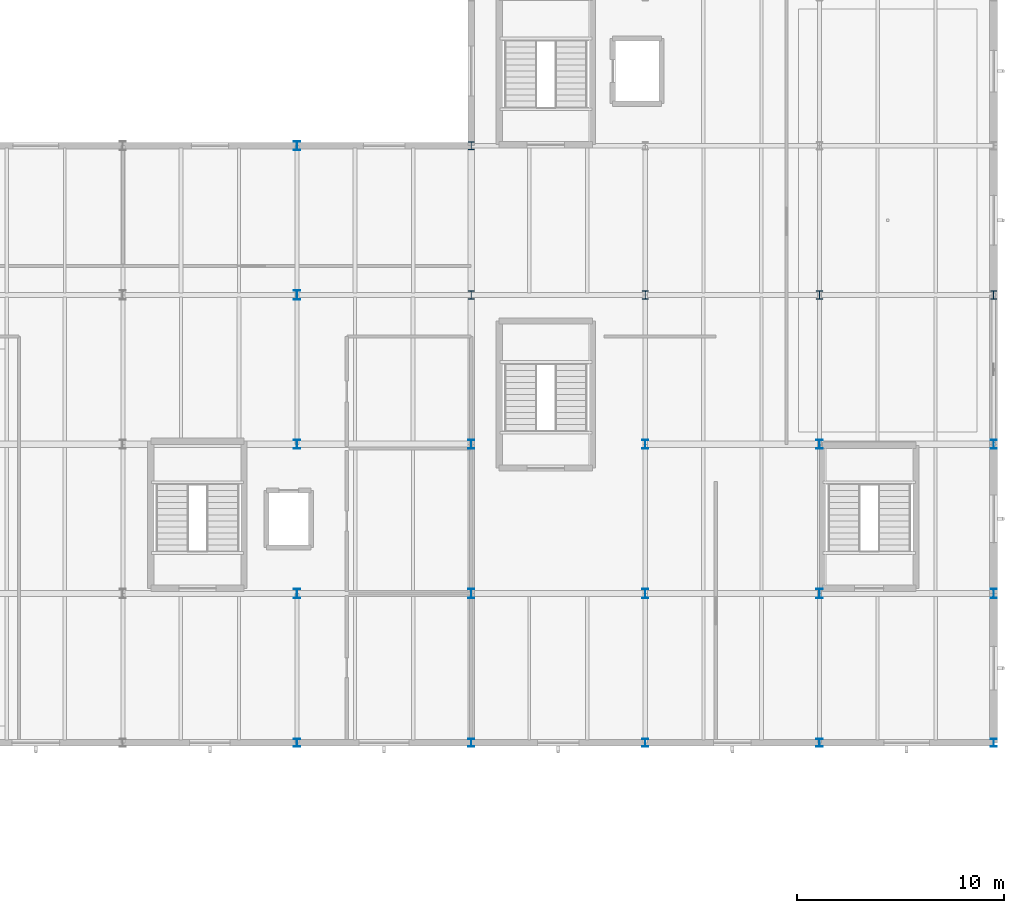
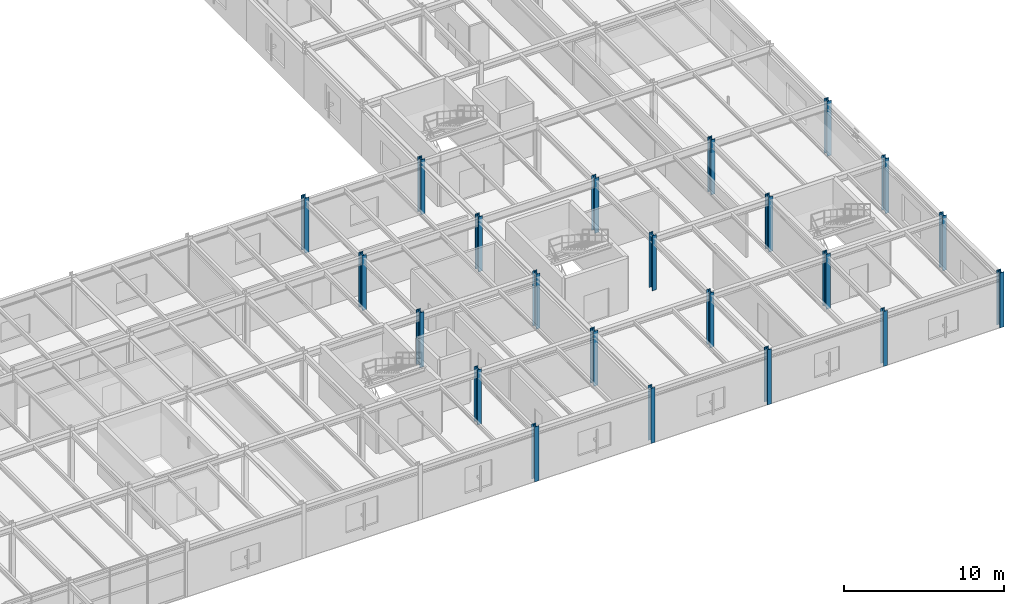
# One storey, part 15 of 109: 22 columns.
"""IFC4 building model written with IfcOpenShell, lengths in metres."""

from ifc_helpers import new_model, si_unit, derived_unit, direction, frame, origin, origin_2d, place, context, subcontext, project, spatial, i_section, extrude, material, material_profile, profile_set, type_object, element, save


model = new_model("IFC4")

# Units and contexts
model_context = context("Model", 3, precision=1e-05, world=origin(), true_north=direction((0.0, 1.0)))
body_context = subcontext(model_context, "Body", "Model", "MODEL_VIEW")
ifc_project = project(units=[si_unit("LENGTHUNIT", "METRE"), si_unit("AREAUNIT", "SQUARE_METRE"), si_unit("VOLUMEUNIT", "CUBIC_METRE"), si_unit("PLANEANGLEUNIT", "RADIAN"), si_unit("MASSUNIT", "GRAM", prefix="KILO"), derived_unit("THERMALTRANSMITTANCEUNIT", [(si_unit("MASSUNIT", "GRAM", prefix="KILO"), 1), (si_unit("TIMEUNIT", "SECOND"), -3), (si_unit("THERMODYNAMICTEMPERATUREUNIT", "KELVIN"), -1)])], contexts=[model_context])

# Site, building, storey
site_placement = place(None, origin())
site = spatial("IfcSite", under=ifc_project, at=site_placement, CompositionType="ELEMENT")
building_placement = place(site_placement, origin())
building = spatial("IfcBuilding", under=site, at=building_placement, Name="Kharveza Railside Sports Centre", CompositionType="ELEMENT")
storey_placement = place(building_placement, frame((0.0, 0.0, 4.5)))
storey = spatial("IfcBuildingStorey", under=building, at=storey_placement, Name="L01", CompositionType="ELEMENT", Elevation=4.5)

# Columns
ifc_material = material(Name="Steel S355J2", Category="steel")
ifc_material_profile_1 = material_profile(ifc_material, i_section(OverallWidth=0.300048828125, OverallDepth=0.39990234375, WebThickness=0.013427734375, FlangeThickness=0.02392578125, FilletRadius=0.027099609375, at=origin_2d()), Name="HEB 400")
ifc_profile_set_1 = profile_set([ifc_material_profile_1], Name="Steel S355J2")
column_type_1 = type_object("IfcColumnType", Name="COL-S05", PredefinedType="COLUMN", material=ifc_profile_set_1)
for number, where, z_axis, x_axis, name in (
    (1, (142.800048828125, 28.800048828125, 0.0), (0.0, 0.0, 1.0), (1.0, 0.0, 0.0), "COL-G-C05-X1428-Y288-L01"),
    (2, (142.800048828125, 36.0, 0.0), (0.0, 0.0, 1.0), (1.0, 0.0, 0.0), "COL-G-C05-X1428-Y360-L01"),
    (3, (151.199951171875, 28.800048828125, 0.0), (0.0, 0.0, 1.0), (1.0, 0.0, 0.0), "COL-G-C05-X1512-Y288-L01"),
    (4, (159.60009765625, 28.800048828125, 0.0), (0.0, 0.0, 1.0), (1.0, 0.0, 0.0), "COL-G-C05-X1596-Y288-L01"),
    (5, (168.0, 28.800048828125, 0.0), (0.0, 0.0, 1.0), (1.0, 0.0, 0.0), "COL-G-C05-X1680-Y288-L01"),
):
    element("IfcColumn", number, at=place(storey_placement, frame(where, z_axis=z_axis, x_axis=x_axis)), inside=storey, type_object=column_type_1, Name=name, PredefinedType="COLUMN", context=body_context, shape_type="SweptSolid", body=[
        extrude(i_section(OverallWidth=0.300048828125, OverallDepth=0.39990234375, WebThickness=0.013427734375, FlangeThickness=0.02392578125, FilletRadius=0.027099609375, at=origin_2d()), origin(), (0.0, 0.0, 1.0), 4.199951171875),
    ])
ifc_material_profile_2 = material_profile(ifc_material, i_section(OverallWidth=0.300048828125, OverallDepth=0.43994140625, WebThickness=0.011474609375, FlangeThickness=0.02099609375, FilletRadius=0.027099609375, at=origin_2d()), Name="HEA 450")
ifc_profile_set_2 = profile_set([ifc_material_profile_2], Name="Steel S355J2")
column_type_2 = type_object("IfcColumnType", Name="COL-S09", PredefinedType="COLUMN", material=ifc_profile_set_2)
for number, where, z_axis, x_axis, name in (
    (6, (134.39990234375, 14.39990234375, 0.0), (0.0, 0.0, 1.0), (1.0, 0.0, 0.0), "COL-G-C09-X1344-Y144-L01"),
    (7, (134.39990234375, 21.60009765625, 0.0), (0.0, 0.0, 1.0), (1.0, 0.0, 0.0), "COL-G-C09-X1344-Y216-L01"),
    (8, (134.39990234375, 28.800048828125, 0.0), (0.0, 0.0, 1.0), (1.0, 0.0, 0.0), "COL-G-C09-X1344-Y288-L01"),
    (9, (134.39990234375, 36.0, 0.0), (0.0, 0.0, 1.0), (1.0, 0.0, 0.0), "COL-G-C09-X1344-Y360-L01"),
    (10, (142.800048828125, 14.39990234375, 0.0), (0.0, 0.0, 1.0), (1.0, 0.0, 0.0), "COL-G-C09-X1428-Y144-L01"),
    (11, (142.800048828125, 21.60009765625, 0.0), (0.0, 0.0, 1.0), (1.0, 0.0, 0.0), "COL-G-C09-X1428-Y216-L01"),
    (12, (151.199951171875, 14.39990234375, 0.0), (0.0, 0.0, 1.0), (1.0, 0.0, 0.0), "COL-G-C09-X1512-Y144-L01"),
    (13, (151.199951171875, 21.60009765625, 0.0), (0.0, 0.0, 1.0), (1.0, 0.0, 0.0), "COL-G-C09-X1512-Y216-L01"),
    (14, (159.60009765625, 14.39990234375, 0.0), (0.0, 0.0, 1.0), (1.0, 0.0, 0.0), "COL-G-C09-X1596-Y144-L01"),
    (15, (159.60009765625, 21.60009765625, 0.0), (0.0, 0.0, 1.0), (1.0, 0.0, 0.0), "COL-G-C09-X1596-Y216-L01"),
    (16, (168.0, 14.39990234375, 0.0), (0.0, 0.0, 1.0), (1.0, 0.0, 0.0), "COL-G-C09-X1680-Y144-L01"),
    (17, (168.0, 21.60009765625, 0.0), (0.0, 0.0, 1.0), (1.0, 0.0, 0.0), "COL-G-C09-X1680-Y216-L01"),
):
    element("IfcColumn", number, at=place(storey_placement, frame(where, z_axis=z_axis, x_axis=x_axis)), inside=storey, type_object=column_type_2, Name=name, PredefinedType="COLUMN", context=body_context, shape_type="SweptSolid", body=[
        extrude(i_section(OverallWidth=0.300048828125, OverallDepth=0.43994140625, WebThickness=0.011474609375, FlangeThickness=0.02099609375, FilletRadius=0.027099609375, at=origin_2d()), origin(), (0.0, 0.0, 1.0), 4.199951171875),
    ])
ifc_material_profile_3 = material_profile(ifc_material, i_section(OverallWidth=0.300048828125, OverallDepth=0.389892578125, WebThickness=0.010986328125, FlangeThickness=0.01904296875, FilletRadius=0.027099609375, at=origin_2d()), Name="HEA 400")
ifc_profile_set_3 = profile_set([ifc_material_profile_3], Name="Steel S355J2")
column_type_3 = type_object("IfcColumnType", Name="COL-S10", PredefinedType="COLUMN", material=ifc_profile_set_3)
for number, where, z_axis, x_axis, name in (
    (18, (134.39990234375, 7.199951171875, 0.0), (0.0, 0.0, 1.0), (1.0, 0.0, 0.0), "COL-G-C10-X1344-Y72-L01"),
    (19, (142.800048828125, 7.199951171875, 0.0), (0.0, 0.0, 1.0), (1.0, 0.0, 0.0), "COL-G-C10-X1428-Y72-L01"),
    (20, (151.199951171875, 7.199951171875, 0.0), (0.0, 0.0, 1.0), (1.0, 0.0, 0.0), "COL-G-C10-X1512-Y72-L01"),
    (21, (159.60009765625, 7.199951171875, 0.0), (0.0, 0.0, 1.0), (1.0, 0.0, 0.0), "COL-G-C10-X1596-Y72-L01"),
    (22, (168.0, 7.199951171875, 0.0), (0.0, 0.0, 1.0), (1.0, 0.0, 0.0), "COL-G-C10-X1680-Y72-L01"),
):
    element("IfcColumn", number, at=place(storey_placement, frame(where, z_axis=z_axis, x_axis=x_axis)), inside=storey, type_object=column_type_3, Name=name, PredefinedType="COLUMN", context=body_context, shape_type="SweptSolid", body=[
        extrude(i_section(OverallWidth=0.300048828125, OverallDepth=0.389892578125, WebThickness=0.010986328125, FlangeThickness=0.01904296875, FilletRadius=0.027099609375, at=origin_2d()), origin(), (0.0, 0.0, 1.0), 4.199951171875),
    ])

save(model, "model.ifc")
